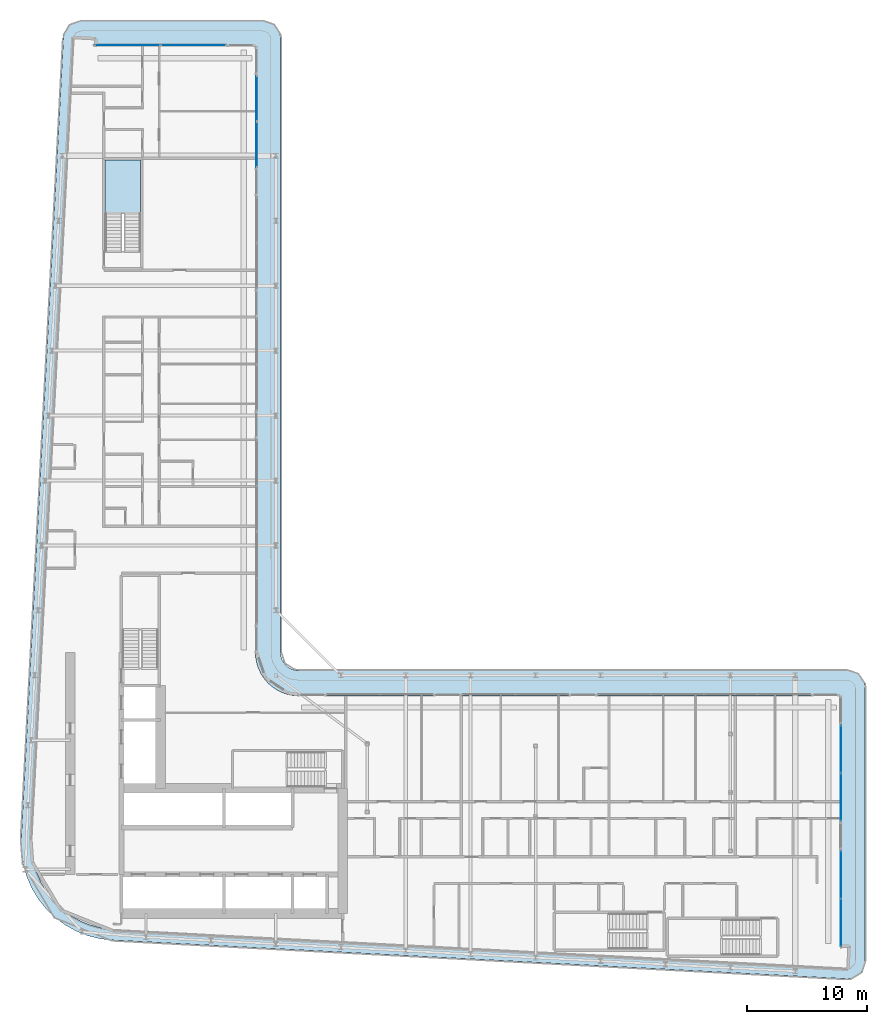
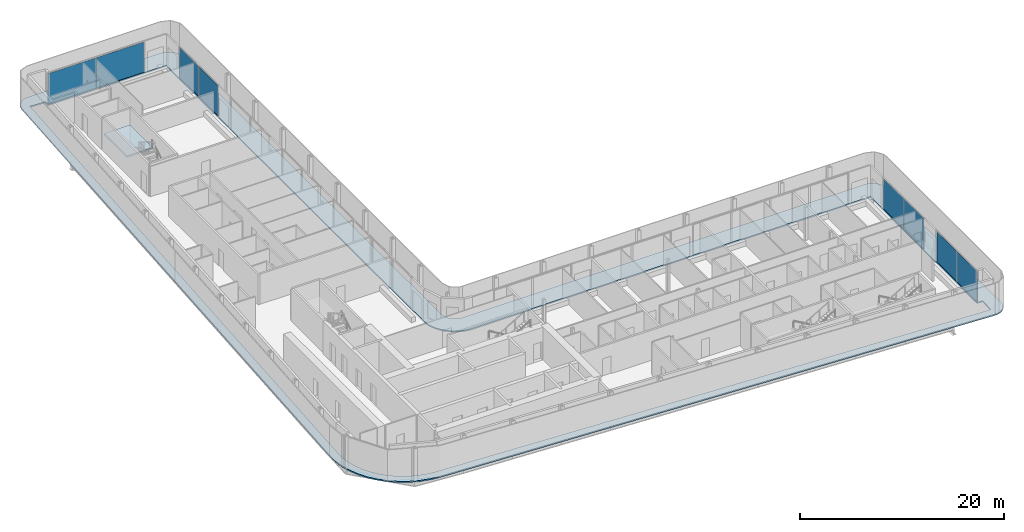
# One storey, part 13 of 29: 8 plates, 2 slabs, 5 elements without a shape of their own.
"""IFC4 building model written with IfcOpenShell, lengths in metres."""

from ifc_helpers import new_model, si_unit, direction, frame, origin, origin_2d, place, context, subcontext, project, spatial, polyline, rectangle, outline, extrude, material, layer, layer_set, type_object, element, aggregate, save


model = new_model("IFC4")

# Units and contexts
model_context = context("Model", 3, precision=1e-05, world=origin(), true_north=direction((0.0, 1.0)))
body_context = subcontext(model_context, "Body", "Model", "MODEL_VIEW")
ifc_project = project(units=[si_unit("LENGTHUNIT", "METRE"), si_unit("AREAUNIT", "SQUARE_METRE"), si_unit("VOLUMEUNIT", "CUBIC_METRE"), si_unit("PLANEANGLEUNIT", "RADIAN"), si_unit("MASSUNIT", "GRAM", prefix="KILO")], contexts=[model_context])

# Site, building, storey
site_placement = place(None, origin())
site = spatial("IfcSite", under=ifc_project, at=site_placement, CompositionType="ELEMENT")
building_placement = place(site_placement, origin())
building = spatial("IfcBuilding", under=site, at=building_placement, Name="Kheshtan School and Residences Tower", CompositionType="ELEMENT")
storey_placement = place(building_placement, frame((0.0, 0.0, 168.199951171875)))
storey = spatial("IfcBuildingStorey", under=building, at=storey_placement, Name="L39", CompositionType="ELEMENT", Elevation=168.199951171875)

# Curtain wall, plates
ifc_material_1 = material(Name="Clear low-e glass in thermally broken aluminium frame", Category="aluminium")
ifc_layer_1 = layer(ifc_material_1, 0.199951171875)
ifc_layer_set_1 = layer_set([ifc_layer_1], Name="Curtain wall CW-L")
curtain_wall_type = type_object("IfcCurtainWallType", Name="Curtain wall CW-L", PredefinedType="NOTDEFINED", material=ifc_layer_set_1)
curtain_wall_1_placement = place(storey_placement, origin())
curtain_wall_1 = element("IfcCurtainWall", 1, at=curtain_wall_1_placement, inside=storey, type_object=curtain_wall_type, Name="Curtain wall CWL7", PredefinedType="NOTDEFINED")
ifc_layer_2 = layer(ifc_material_1, 0.031982421875)
ifc_layer_set_2 = layer_set([ifc_layer_2], Name="CW-L glass panel")
plate_type = type_object("IfcPlateType", Name="CW-L glass panel", PredefinedType="CURTAIN_PANEL", material=ifc_layer_set_2)
plate_1_placement = place(storey_placement, frame((35.259033203125, 98.0, 0.0), z_axis=(0.0, 0.0, 1.0), x_axis=(1.0, 0.0, 0.0)))
plate_1 = element("IfcPlate", 2, at=plate_1_placement, type_object=plate_type, Name="CWL7 panel 1.1", PredefinedType="CURTAIN_PANEL", context=body_context, shape_type="SweptSolid", body=[
    extrude(rectangle(XDim=5.4140625, YDim=0.031982421875, at=origin_2d()), origin(), (0.0, 0.0, 1.0), 3.6298828125),
])
plate_2_placement = place(storey_placement, frame((40.73291015625, 98.0, 0.0), z_axis=(0.0, 0.0, 1.0), x_axis=(1.0, 0.0, 0.0)))
plate_2 = element("IfcPlate", 3, at=plate_2_placement, type_object=plate_type, Name="CWL7 panel 2.1", PredefinedType="CURTAIN_PANEL", context=body_context, shape_type="SweptSolid", body=[
    extrude(rectangle(XDim=5.4140625, YDim=0.031982421875, at=origin_2d()), origin(), (0.0, 0.0, 1.0), 3.6298828125),
])
aggregate(curtain_wall_1, [plate_1, plate_2])

curtain_wall_2_placement = place(storey_placement, origin())
curtain_wall_2 = element("IfcCurtainWall", 4, at=curtain_wall_2_placement, inside=storey, type_object=curtain_wall_type, Name="Curtain wall CWL8", PredefinedType="NOTDEFINED")
plate_3_placement = place(storey_placement, frame((46.0, 93.5615234375, 0.0), z_axis=(0.0, 0.0, 1.0), x_axis=(0.0, -1.0, 0.0)))
plate_3 = element("IfcPlate", 5, at=plate_3_placement, type_object=plate_type, Name="CWL8 panel 1.1", PredefinedType="CURTAIN_PANEL", context=body_context, shape_type="SweptSolid", body=[
    extrude(rectangle(XDim=3.757080078125, YDim=0.031982421875, at=origin_2d()), origin(), (0.0, 0.0, 1.0), 3.6298828125),
])
plate_4_placement = place(storey_placement, frame((46.0, 89.744384765625, 0.0), z_axis=(0.0, 0.0, 1.0), x_axis=(0.0, -1.0, 0.0)))
plate_4 = element("IfcPlate", 6, at=plate_4_placement, type_object=plate_type, Name="CWL8 panel 2.1", PredefinedType="CURTAIN_PANEL", context=body_context, shape_type="SweptSolid", body=[
    extrude(rectangle(XDim=3.757080078125, YDim=0.031982421875, at=origin_2d()), origin(), (0.0, 0.0, 1.0), 3.6298828125),
])
aggregate(curtain_wall_2, [plate_3, plate_4])

curtain_wall_3_placement = place(storey_placement, origin())
curtain_wall_3 = element("IfcCurtainWall", 7, at=curtain_wall_3_placement, inside=storey, type_object=curtain_wall_type, Name="Curtain wall CWL13a", PredefinedType="NOTDEFINED")
plate_5_placement = place(storey_placement, frame((94.60009765625, 39.47216796875, 0.0), z_axis=(0.0, 0.0, 1.0), x_axis=(0.0, -1.0, 0.0)))
plate_5 = element("IfcPlate", 8, at=plate_5_placement, type_object=plate_type, Name="CWL13a panel 1.1", PredefinedType="CURTAIN_PANEL", context=body_context, shape_type="SweptSolid", body=[
    extrude(rectangle(XDim=3.935546875, YDim=0.031982421875, at=origin_2d()), origin(), (0.0, 0.0, 1.0), 3.6298828125),
])
plate_6_placement = place(storey_placement, frame((94.60009765625, 35.476806640625, 0.0), z_axis=(0.0, 0.0, 1.0), x_axis=(0.0, -1.0, 0.0)))
plate_6 = element("IfcPlate", 9, at=plate_6_placement, type_object=plate_type, Name="CWL13a panel 2.1", PredefinedType="CURTAIN_PANEL", context=body_context, shape_type="SweptSolid", body=[
    extrude(rectangle(XDim=3.935546875, YDim=0.031982421875, at=origin_2d()), origin(), (0.0, 0.0, 1.0), 3.6298828125),
])
aggregate(curtain_wall_3, [plate_5, plate_6])

curtain_wall_4_placement = place(storey_placement, origin())
curtain_wall_4 = element("IfcCurtainWall", 10, at=curtain_wall_4_placement, inside=storey, type_object=curtain_wall_type, Name="Curtain wall CWL13a", PredefinedType="NOTDEFINED")
plate_7_placement = place(storey_placement, frame((94.60009765625, 29.021240234375, 0.0), z_axis=(0.0, 0.0, 1.0), x_axis=(0.0, -1.0, 0.0)))
plate_7 = element("IfcPlate", 11, at=plate_7_placement, type_object=plate_type, Name="CWL13a panel 1.1", PredefinedType="CURTAIN_PANEL", context=body_context, shape_type="SweptSolid", body=[
    extrude(rectangle(XDim=3.935546875, YDim=0.031982421875, at=origin_2d()), origin(), (0.0, 0.0, 1.0), 3.6298828125),
])
plate_8_placement = place(storey_placement, frame((94.60009765625, 25.025634765625, 0.0), z_axis=(0.0, 0.0, 1.0), x_axis=(0.0, -1.0, 0.0)))
plate_8 = element("IfcPlate", 12, at=plate_8_placement, type_object=plate_type, Name="CWL13a panel 2.1", PredefinedType="CURTAIN_PANEL", context=body_context, shape_type="SweptSolid", body=[
    extrude(rectangle(XDim=3.935546875, YDim=0.031982421875, at=origin_2d()), origin(), (0.0, 0.0, 1.0), 3.6298828125),
])
aggregate(curtain_wall_4, [plate_7, plate_8])

# Slab
ifc_material_2 = material(Name="Concrete C40/50", Category="concrete")
ifc_layer_3 = layer(ifc_material_2, 0.14990234375)
ifc_layer_set_3 = layer_set([ifc_layer_3], Name="Loggia balcony slab 150 Concrete C40/50")
slab_type_1 = type_object("IfcSlabType", Name="Loggia balcony slab 150 Concrete C40/50", PredefinedType="FLOOR", material=ifc_layer_set_3)
slab_1_placement = place(storey_placement, frame((0.0, 0.0, -0.14990234375)))
element("IfcSlab", 13, at=slab_1_placement, inside=storey, type_object=slab_type_1, Name="Loggia balcony slab L39", PredefinedType="FLOOR", context=body_context, shape_type="SweptSolid", body=[
    extrude(outline(polyline([(28.4580078125, 26.222900390625), (28.45703125, 26.222900390625), (28.45703125, 26.22412109375), (28.4560546875, 26.22412109375), (27.81494140625, 27.0390625), (27.281005859375, 27.93798828125), (26.867919921875, 28.89990234375), (26.583984375, 29.89990234375), (26.583984375, 29.906982421875), (26.43408203125, 30.943115234375), (26.419921875, 31.989013671875), (29.925048828125, 98.5791015625), (29.930908203125, 98.626953125), (29.930908203125, 98.6279296875), (29.929931640625, 98.6279296875), (29.929931640625, 98.62890625), (29.928955078125, 98.62890625), (29.928955078125, 98.6298828125), (29.927978515625, 98.6298828125), (29.927978515625, 98.631103515625), (29.927001953125, 98.631103515625), (29.927001953125, 98.632080078125), (29.927001953125, 98.633056640625), (29.945068359375, 98.781005859375), (29.945068359375, 98.783935546875), (29.945068359375, 98.784912109375), (29.946044921875, 98.784912109375), (29.946044921875, 98.785888671875), (29.947021484375, 98.785888671875), (29.947021484375, 98.787109375), (29.947998046875, 98.787109375), (29.948974609375, 98.787109375), (29.948974609375, 98.7880859375), (29.949951171875, 98.7880859375), (29.949951171875, 98.7890625), (29.949951171875, 98.791015625), (30.0029296875, 98.98388671875), (30.083984375, 99.175048828125), (30.18896484375, 99.35302734375), (30.31103515625, 99.507080078125), (30.31201171875, 99.507080078125), (30.31201171875, 99.508056640625), (30.31298828125, 99.508056640625), (30.31298828125, 99.509033203125), (30.31396484375, 99.509033203125), (30.31396484375, 99.510009765625), (30.31494140625, 99.510009765625), (30.31494140625, 99.510986328125), (30.31591796875, 99.510986328125), (30.31591796875, 99.511962890625), (30.31689453125, 99.511962890625), (30.31689453125, 99.512939453125), (30.318115234375, 99.512939453125), (30.320068359375, 99.512939453125), (30.321044921875, 99.512939453125), (30.321044921875, 99.513916015625), (30.468017578125, 99.656982421875), (30.468994140625, 99.656982421875), (30.468994140625, 99.657958984375), (30.469970703125, 99.657958984375), (30.469970703125, 99.658935546875), (30.470947265625, 99.658935546875), (30.470947265625, 99.659912109375), (30.471923828125, 99.659912109375), (30.471923828125, 99.660888671875), (30.472900390625, 99.660888671875), (30.472900390625, 99.662109375), (30.47412109375, 99.662109375), (30.47412109375, 99.6630859375), (30.47509765625, 99.6630859375), (30.47509765625, 99.6640625), (30.635986328125, 99.777099609375), (30.820068359375, 99.873046875), (31.007080078125, 99.943115234375), (31.013916015625, 99.943115234375), (31.217041015625, 99.986083984375), (31.423095703125, 100.0), (46.5, 100.0), (46.696044921875, 99.987060546875), (46.887939453125, 99.948974609375), (46.89501953125, 99.948974609375), (47.073974609375, 99.885986328125), (47.242919921875, 99.801025390625), (47.243896484375, 99.801025390625), (47.2470703125, 99.801025390625), (47.248046875, 99.801025390625), (47.248046875, 99.802001953125), (47.2490234375, 99.802001953125), (47.2490234375, 99.802978515625), (47.25, 99.802978515625), (47.2529296875, 99.802978515625), (47.25390625, 99.802978515625), (47.25390625, 99.802001953125), (47.2548828125, 99.802001953125), (47.2548828125, 99.801025390625), (47.256103515625, 99.801025390625), (47.256103515625, 99.800048828125), (47.257080078125, 99.800048828125), (47.257080078125, 99.799072265625), (47.258056640625, 99.799072265625), (47.258056640625, 99.798095703125), (47.412109375, 99.696044921875), (47.4130859375, 99.696044921875), (47.4130859375, 99.695068359375), (47.4140625, 99.695068359375), (47.4140625, 99.694091796875), (47.4140625, 99.68994140625), (47.4140625, 99.68896484375), (47.4150390625, 99.68896484375), (47.4150390625, 99.68798828125), (47.416015625, 99.68798828125), (47.416015625, 99.68701171875), (47.4169921875, 99.68701171875), (47.4169921875, 99.68603515625), (47.554931640625, 99.568115234375), (47.554931640625, 99.56689453125), (47.555908203125, 99.56689453125), (47.555908203125, 99.56591796875), (47.556884765625, 99.56591796875), (47.556884765625, 99.56494140625), (47.55810546875, 99.56494140625), (47.55810546875, 99.56396484375), (47.55908203125, 99.56396484375), (47.55908203125, 99.56298828125), (47.56005859375, 99.56298828125), (47.56005859375, 99.56201171875), (47.56103515625, 99.56201171875), (47.56201171875, 99.56103515625), (47.56201171875, 99.56005859375), (47.56298828125, 99.56005859375), (47.56298828125, 99.55908203125), (47.56396484375, 99.55908203125), (47.56396484375, 99.55810546875), (47.56494140625, 99.55810546875), (47.56494140625, 99.556884765625), (47.56591796875, 99.556884765625), (47.56591796875, 99.555908203125), (47.56689453125, 99.555908203125), (47.56689453125, 99.554931640625), (47.568115234375, 99.554931640625), (47.68505859375, 99.41796875), (47.68603515625, 99.41796875), (47.68603515625, 99.4169921875), (47.68701171875, 99.4169921875), (47.68701171875, 99.416015625), (47.68798828125, 99.416015625), (47.68798828125, 99.4150390625), (47.68896484375, 99.4150390625), (47.68896484375, 99.4140625), (47.68994140625, 99.4140625), (47.694091796875, 99.4140625), (47.695068359375, 99.4140625), (47.695068359375, 99.4130859375), (47.696044921875, 99.4130859375), (47.696044921875, 99.412109375), (47.797119140625, 99.259033203125), (47.798095703125, 99.259033203125), (47.798095703125, 99.258056640625), (47.799072265625, 99.258056640625), (47.799072265625, 99.257080078125), (47.800048828125, 99.257080078125), (47.800048828125, 99.256103515625), (47.801025390625, 99.256103515625), (47.801025390625, 99.2548828125), (47.802001953125, 99.2548828125), (47.802001953125, 99.25390625), (47.802978515625, 99.25390625), (47.802978515625, 99.2529296875), (47.802978515625, 99.25), (47.802978515625, 99.2490234375), (47.802001953125, 99.2490234375), (47.802001953125, 99.248046875), (47.801025390625, 99.248046875), (47.801025390625, 99.2470703125), (47.801025390625, 99.243896484375), (47.801025390625, 99.242919921875), (47.885986328125, 99.073974609375), (47.948974609375, 98.89501953125), (47.948974609375, 98.887939453125), (47.987060546875, 98.696044921875), (48.0, 98.5), (48.0, 47.5), (48.012939453125, 47.303955078125), (48.051025390625, 47.113037109375), (48.051025390625, 47.10693359375), (48.051025390625, 47.10595703125), (48.114013671875, 46.926025390625), (48.200927734375, 46.75), (48.31005859375, 46.5869140625), (48.431884765625, 46.444091796875), (48.43310546875, 46.444091796875), (48.43310546875, 46.443115234375), (48.43408203125, 46.443115234375), (48.43408203125, 46.44189453125), (48.43505859375, 46.44189453125), (48.43505859375, 46.44091796875), (48.43603515625, 46.44091796875), (48.43603515625, 46.43994140625), (48.43701171875, 46.43994140625), (48.43701171875, 46.43896484375), (48.43798828125, 46.43896484375), (48.43896484375, 46.43798828125), (48.43896484375, 46.43701171875), (48.43994140625, 46.43701171875), (48.43994140625, 46.43603515625), (48.44091796875, 46.43603515625), (48.44091796875, 46.43505859375), (48.44189453125, 46.43505859375), (48.44189453125, 46.43408203125), (48.443115234375, 46.43408203125), (48.443115234375, 46.43310546875), (48.444091796875, 46.43310546875), (48.444091796875, 46.431884765625), (48.5869140625, 46.31005859375), (48.75, 46.200927734375), (48.926025390625, 46.114013671875), (49.10595703125, 46.051025390625), (49.10693359375, 46.051025390625), (49.113037109375, 46.051025390625), (49.303955078125, 46.012939453125), (49.5, 46.0), (95.10009765625, 46.0), (95.2958984375, 45.987060546875), (95.488037109375, 45.948974609375), (95.4951171875, 45.948974609375), (95.674072265625, 45.885986328125), (95.842041015625, 45.801025390625), (95.843017578125, 45.801025390625), (95.846923828125, 45.801025390625), (95.847900390625, 45.801025390625), (95.847900390625, 45.802001953125), (95.84912109375, 45.802001953125), (95.84912109375, 45.802978515625), (95.85009765625, 45.802978515625), (95.85302734375, 45.802978515625), (95.85400390625, 45.802978515625), (95.85400390625, 45.802001953125), (95.85498046875, 45.802001953125), (95.85498046875, 45.801025390625), (95.85595703125, 45.801025390625), (95.85595703125, 45.800048828125), (95.85693359375, 45.800048828125), (95.85693359375, 45.799072265625), (95.85791015625, 45.799072265625), (95.85791015625, 45.798095703125), (95.85888671875, 45.798095703125), (95.85888671875, 45.797119140625), (95.860107421875, 45.797119140625), (95.860107421875, 45.7958984375), (96.011962890625, 45.696044921875), (96.012939453125, 45.696044921875), (96.012939453125, 45.695068359375), (96.013916015625, 45.695068359375), (96.013916015625, 45.694091796875), (96.013916015625, 45.68994140625), (96.013916015625, 45.68896484375), (96.014892578125, 45.68896484375), (96.014892578125, 45.68798828125), (96.01611328125, 45.68798828125), (96.01611328125, 45.68701171875), (96.01708984375, 45.68701171875), (96.01708984375, 45.68603515625), (96.01806640625, 45.68603515625), (96.01806640625, 45.68505859375), (96.01904296875, 45.68505859375), (96.01904296875, 45.68408203125), (96.155029296875, 45.568115234375), (96.155029296875, 45.56689453125), (96.156005859375, 45.56689453125), (96.156005859375, 45.56591796875), (96.156982421875, 45.56591796875), (96.156982421875, 45.56494140625), (96.157958984375, 45.56494140625), (96.157958984375, 45.56396484375), (96.158935546875, 45.56396484375), (96.158935546875, 45.56298828125), (96.159912109375, 45.56298828125), (96.159912109375, 45.56201171875), (96.160888671875, 45.56201171875), (96.162109375, 45.56103515625), (96.162109375, 45.56005859375), (96.1630859375, 45.56005859375), (96.1630859375, 45.55908203125), (96.1640625, 45.55908203125), (96.1640625, 45.55810546875), (96.1650390625, 45.55810546875), (96.1650390625, 45.556884765625), (96.166015625, 45.556884765625), (96.166015625, 45.555908203125), (96.1669921875, 45.555908203125), (96.1669921875, 45.554931640625), (96.16796875, 45.554931640625), (96.281982421875, 45.4208984375), (96.282958984375, 45.4208984375), (96.282958984375, 45.419921875), (96.283935546875, 45.419921875), (96.283935546875, 45.4189453125), (96.284912109375, 45.4189453125), (96.284912109375, 45.41796875), (96.285888671875, 45.41796875), (96.285888671875, 45.4169921875), (96.287109375, 45.4169921875), (96.287109375, 45.416015625), (96.2880859375, 45.416015625), (96.2880859375, 45.4150390625), (96.2890625, 45.4150390625), (96.2890625, 45.4140625), (96.2900390625, 45.4140625), (96.2939453125, 45.4140625), (96.294921875, 45.4140625), (96.294921875, 45.4130859375), (96.2958984375, 45.4130859375), (96.2958984375, 45.412109375), (96.39404296875, 45.261962890625), (96.39501953125, 45.261962890625), (96.39501953125, 45.260986328125), (96.39599609375, 45.260986328125), (96.39599609375, 45.260009765625), (96.39697265625, 45.260009765625), (96.39697265625, 45.259033203125), (96.39794921875, 45.259033203125), (96.39794921875, 45.258056640625), (96.39892578125, 45.258056640625), (96.39892578125, 45.257080078125), (96.39990234375, 45.257080078125), (96.39990234375, 45.256103515625), (96.40087890625, 45.256103515625), (96.40087890625, 45.2548828125), (96.402099609375, 45.2548828125), (96.402099609375, 45.25390625), (96.403076171875, 45.25390625), (96.403076171875, 45.2529296875), (96.403076171875, 45.25), (96.403076171875, 45.2490234375), (96.402099609375, 45.2490234375), (96.402099609375, 45.248046875), (96.40087890625, 45.248046875), (96.40087890625, 45.2470703125), (96.40087890625, 45.240966796875), (96.40087890625, 45.239990234375), (96.486083984375, 45.073974609375), (96.549072265625, 44.89501953125), (96.549072265625, 44.887939453125), (96.5869140625, 44.696044921875), (96.60009765625, 44.5), (96.60009765625, 21.864990234375), (96.5859375, 21.6630859375), (96.544921875, 21.464111328125), (96.544921875, 21.45703125), (96.47802734375, 21.27294921875), (96.385986328125, 21.093017578125), (96.27099609375, 20.927001953125), (96.27099609375, 20.926025390625), (96.27099609375, 20.925048828125), (96.27099609375, 20.924072265625), (96.27197265625, 20.924072265625), (96.27197265625, 20.923095703125), (96.27197265625, 20.9208984375), (96.27197265625, 20.919921875), (96.27099609375, 20.919921875), (96.27099609375, 20.9189453125), (96.137939453125, 20.77587890625), (96.135009765625, 20.77294921875), (96.134033203125, 20.77294921875), (96.134033203125, 20.77197265625), (96.133056640625, 20.77197265625), (96.131103515625, 20.77197265625), (96.1298828125, 20.77197265625), (96.1298828125, 20.77294921875), (96.12890625, 20.77294921875), (96.1279296875, 20.77294921875), (96.126953125, 20.77294921875), (95.97607421875, 20.64794921875), (95.803955078125, 20.541015625), (95.618896484375, 20.4580078125), (95.430908203125, 20.40087890625), (95.424072265625, 20.40087890625), (95.22412109375, 20.3701171875), (95.02099609375, 20.366943359375), (33.989013671875, 23.580078125), (33.94189453125, 23.5859375), (33.94091796875, 23.5859375), (33.93994140625, 23.5859375), (33.93994140625, 23.5849609375), (33.93896484375, 23.5849609375), (33.93896484375, 23.583984375), (33.93798828125, 23.583984375), (33.93798828125, 23.5830078125), (33.93701171875, 23.5830078125), (33.93701171875, 23.58203125), (33.93603515625, 23.58203125), (33.93505859375, 23.58203125), (32.952880859375, 23.697998046875), (32.949951171875, 23.697998046875), (32.948974609375, 23.697998046875), (32.948974609375, 23.698974609375), (32.947998046875, 23.698974609375), (32.947998046875, 23.699951171875), (32.947021484375, 23.699951171875), (32.947021484375, 23.700927734375), (32.947021484375, 23.702880859375), (32.947021484375, 23.7041015625), (32.946044921875, 23.7041015625), (32.946044921875, 23.705078125), (32.945068359375, 23.705078125), (32.944091796875, 23.705078125), (31.93603515625, 23.9609375), (31.928955078125, 23.9609375), (30.964111328125, 24.34912109375), (30.051025390625, 24.860107421875), (29.218994140625, 25.47900390625), (29.218994140625, 25.47998046875), (29.218017578125, 25.47998046875), (29.218017578125, 25.48095703125), (29.217041015625, 25.48095703125), (29.217041015625, 25.48193359375), (29.216064453125, 25.48193359375), (29.216064453125, 25.48291015625), (29.215087890625, 25.48291015625), (29.215087890625, 25.48388671875), (29.214111328125, 25.48388671875), (29.214111328125, 25.485107421875), (29.212890625, 25.485107421875), (29.212890625, 25.486083984375), (29.2119140625, 25.486083984375), (28.466064453125, 26.217041015625), (28.466064453125, 26.218017578125), (28.465087890625, 26.218017578125), (28.462890625, 26.218017578125), (28.4619140625, 26.218017578125), (28.4619140625, 26.218994140625), (28.4609375, 26.218994140625), (28.4609375, 26.219970703125), (28.4599609375, 26.219970703125), (28.4599609375, 26.220947265625), (28.458984375, 26.220947265625), (28.458984375, 26.221923828125), (28.4580078125, 26.221923828125), (28.4580078125, 26.222900390625)]), holes=[polyline([(29.12890625, 26.824951171875), (29.12890625, 26.823974609375), (29.1298828125, 26.823974609375), (29.1298828125, 26.822998046875), (29.131103515625, 26.822998046875), (29.131103515625, 26.822021484375), (29.132080078125, 26.822021484375), (29.132080078125, 26.821044921875), (29.133056640625, 26.821044921875), (29.133056640625, 26.820068359375), (29.134033203125, 26.820068359375), (29.794921875, 26.173095703125), (29.794921875, 26.172119140625), (29.7958984375, 26.172119140625), (29.798095703125, 26.172119140625), (29.799072265625, 26.172119140625), (29.799072265625, 26.1708984375), (29.800048828125, 26.1708984375), (29.800048828125, 26.169921875), (29.801025390625, 26.169921875), (29.801025390625, 26.1689453125), (29.802001953125, 26.1689453125), (29.802001953125, 26.16796875), (29.802978515625, 26.16796875), (29.802978515625, 26.1669921875), (29.803955078125, 26.1669921875), (29.803955078125, 26.166015625), (30.541015625, 25.616943359375), (31.35205078125, 25.1630859375), (32.208984375, 24.819091796875), (32.2099609375, 24.819091796875), (32.216064453125, 24.819091796875), (33.114990234375, 24.590087890625), (34.06591796875, 24.47705078125), (95.0380859375, 21.26708984375), (95.06494140625, 21.26806640625), (95.06591796875, 21.26806640625), (95.06689453125, 21.26806640625), (95.06689453125, 21.26904296875), (95.068115234375, 21.26904296875), (95.068115234375, 21.27001953125), (95.068115234375, 21.27099609375), (95.157958984375, 22.9599609375), (95.157958984375, 22.9609375), (95.157958984375, 22.9619140625), (95.156982421875, 22.9619140625), (95.156982421875, 22.962890625), (95.156005859375, 22.962890625), (95.155029296875, 22.962890625), (94.5009765625, 22.998046875), (94.5, 22.998046875), (94.5, 22.9990234375), (94.5, 43.89794921875), (94.5, 43.89892578125), (94.4990234375, 43.89892578125), (94.4990234375, 43.89990234375), (94.498046875, 43.89990234375), (49.429931640625, 43.89990234375), (49.030029296875, 43.927001953125), (48.569091796875, 44.01806640625), (48.56201171875, 44.01806640625), (48.1201171875, 44.169921875), (47.697021484375, 44.37890625), (47.30810546875, 44.638916015625), (46.95703125, 44.944091796875), (46.95703125, 44.945068359375), (46.9560546875, 44.945068359375), (46.9560546875, 44.946044921875), (46.955078125, 44.946044921875), (46.955078125, 44.947021484375), (46.9541015625, 44.947021484375), (46.9541015625, 44.947998046875), (46.952880859375, 44.947998046875), (46.952880859375, 44.948974609375), (46.951904296875, 44.948974609375), (46.951904296875, 44.949951171875), (46.951904296875, 44.950927734375), (46.950927734375, 44.950927734375), (46.950927734375, 44.951904296875), (46.949951171875, 44.951904296875), (46.948974609375, 44.951904296875), (46.948974609375, 44.952880859375), (46.947998046875, 44.952880859375), (46.947998046875, 44.9541015625), (46.947021484375, 44.9541015625), (46.947021484375, 44.955078125), (46.946044921875, 44.955078125), (46.946044921875, 44.9560546875), (46.945068359375, 44.9560546875), (46.945068359375, 44.95703125), (46.944091796875, 44.95703125), (46.638916015625, 45.30810546875), (46.37890625, 45.697021484375), (46.169921875, 46.1201171875), (46.01806640625, 46.56201171875), (46.01806640625, 46.569091796875), (45.927001953125, 47.030029296875), (45.89990234375, 47.429931640625), (45.89990234375, 97.89794921875), (45.89990234375, 97.89892578125), (45.89892578125, 97.89892578125), (45.89892578125, 97.89990234375), (45.89794921875, 97.89990234375), (32.492919921875, 97.89990234375), (32.491943359375, 97.89990234375), (32.52099609375, 98.43896484375), (32.52099609375, 98.43994140625), (32.52099609375, 98.44091796875), (32.52001953125, 98.44091796875), (32.52001953125, 98.44189453125), (32.51904296875, 98.44189453125), (32.51806640625, 98.44189453125), (30.8291015625, 98.531982421875), (30.827880859375, 98.531982421875), (30.826904296875, 98.531982421875), (30.826904296875, 98.531005859375), (30.825927734375, 98.531005859375), (30.825927734375, 98.530029296875), (30.825927734375, 98.529052734375), (30.822021484375, 98.5009765625), (27.320068359375, 31.970947265625), (27.3330078125, 31.013916015625), (27.466064453125, 30.093994140625), (27.466064453125, 30.087890625), (27.466064453125, 30.0869140625), (27.718017578125, 29.200927734375), (28.0849609375, 28.345947265625), (28.55908203125, 27.550048828125), (29.126953125, 26.825927734375), (29.1279296875, 26.825927734375), (29.1279296875, 26.824951171875), (29.12890625, 26.824951171875)])]), origin(), (0.0, 0.0, 1.0), 0.14990234375),
])

# Stair, slab
stair_type = type_object("IfcStairType", Name="Exit stair, half-turn", PredefinedType="HALF_TURN_STAIR", material=ifc_material_2)
stair_placement = place(storey_placement, origin())
stair = element("IfcStair", 14, at=stair_placement, inside=storey, type_object=stair_type, Name="L39 Protected Exit Stair ST3", PredefinedType="HALF_TURN_STAIR")
ifc_layer_4 = layer(ifc_material_2, 0.199951171875)
ifc_layer_set_4 = layer_set([ifc_layer_4], Name="Stair landing 200 Concrete C40/50")
slab_type_2 = type_object("IfcSlabType", Name="Stair landing 200 Concrete C40/50", PredefinedType="LANDING", material=ifc_layer_set_4)
slab_2_placement = place(storey_placement, frame((0.0, 0.0, 1.75)))
slab_2 = element("IfcSlab", 15, at=slab_2_placement, type_object=slab_type_2, Name="ST3 landing 1", PredefinedType="LANDING", context=body_context, shape_type="SweptSolid", body=[
    extrude(outline(polyline([(36.35009765625, 83.97998046875), (36.35009765625, 88.4599609375), (33.39990234375, 88.4599609375), (33.39990234375, 83.97998046875), (36.35009765625, 83.97998046875)])), origin(), (0.0, 0.0, 1.0), 0.199951171875),
])
aggregate(stair, [slab_2])

save(model, "model.ifc")
